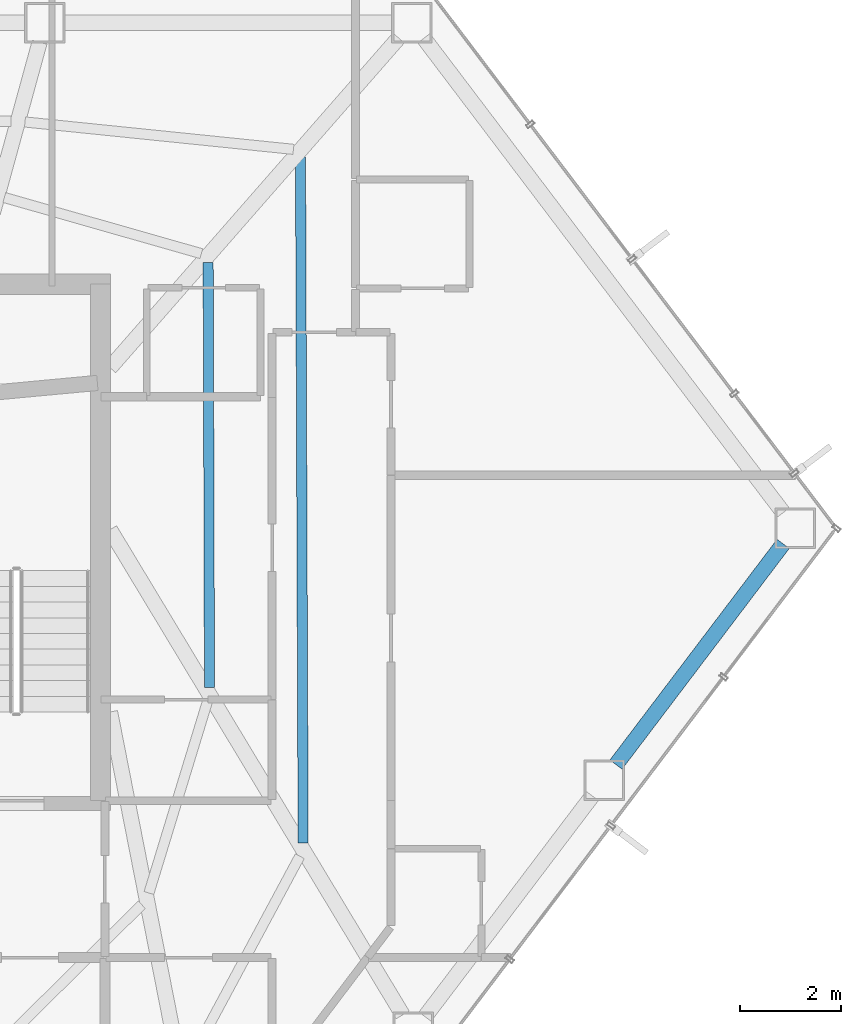
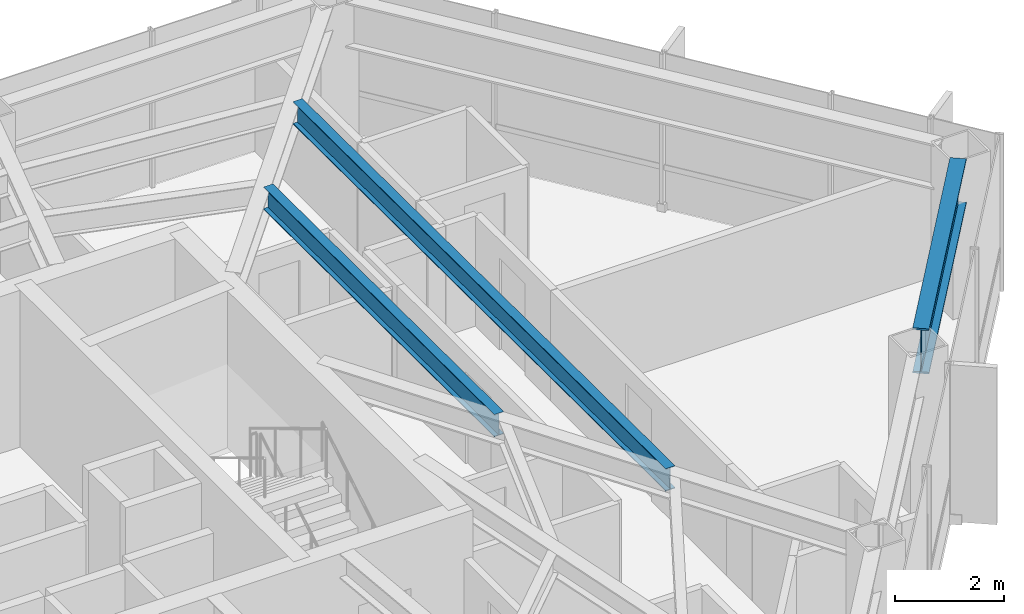
# One storey, part 20 of 28: 3 beams.
"""IFC4 building model written with IfcOpenShell, lengths in metres."""

import ifcopenshell
import ifcopenshell.guid

model = None  # the IFC model being written
_history = None  # IfcOwnerHistory: only IFC2X3 demands one
_inside = {}  # id of a spatial element -> (the spatial element, [elements in it])
_under = {}  # id of a project, library or spatial element -> (it, [spatial elements below it])
_declared = {}  # id of a project -> (the project, [libraries it declares])
_typed = {}  # id of a type object -> (the type object, [elements of that type])
_made_of = {}  # id of a material, layer set ... -> (it, [elements and type objects made of it])


def new_model(schema):
    """Start an empty IFC model of exactly this schema.

    Asked for "IFC4X3", IfcOpenShell would pick the latest addendum, in which some entities
    have other attributes; the version numbers below select the first issue.
    IFC2X3 requires an IfcOwnerHistory on every rooted entity: one is made here for all.
    """
    global model, _history
    if schema == "IFC4X3":
        model = ifcopenshell.file(schema_version=(4, 3, 0, 0))
    else:
        model = ifcopenshell.file(schema=schema)
    _inside.clear()
    _under.clear()
    _declared.clear()
    _typed.clear()
    _made_of.clear()
    _history = None
    if model.schema == "IFC2X3":
        org = make("IfcOrganization", Name="unknown")
        user = make(
            "IfcPersonAndOrganization",
            ThePerson=make("IfcPerson", FamilyName="unknown"),
            TheOrganization=org,
        )
        app = make(
            "IfcApplication",
            ApplicationDeveloper=org,
            Version="unknown",
            ApplicationFullName="unknown",
            ApplicationIdentifier="unknown",
        )
        _history = make(
            "IfcOwnerHistory",
            OwningUser=user,
            OwningApplication=app,
            ChangeAction="ADDED",
            CreationDate=0,
        )
    return model


def make(cls, **values):
    """One entity of the class cls with the attributes given. An attribute that is None is left unset."""
    return model.create_entity(
        cls, **{name: value for name, value in values.items() if value is not None}
    )


def rooted(cls, **values):
    """An entity with a GlobalId (a new one), such as an element, a storey or a relation."""
    return make(cls, GlobalId=ifcopenshell.guid.new(), OwnerHistory=_history, **values)


def si_unit(unit_type, name, prefix=None):
    """IfcSIUnit, for example si_unit("LENGTHUNIT", "METRE", prefix="MILLI")."""
    return make("IfcSIUnit", UnitType=unit_type, Prefix=prefix, Name=name)


def assignment(units):
    """IfcUnitAssignment: the units of a project."""
    return None if units is None else make("IfcUnitAssignment", Units=units)


def point(xyz):
    """IfcCartesianPoint."""
    return None if xyz is None else make("IfcCartesianPoint", Coordinates=xyz)


def direction(xyz):
    """IfcDirection."""
    return None if xyz is None else make("IfcDirection", DirectionRatios=xyz)


def frame(location, z_axis=None, x_axis=None):
    """IfcAxis2Placement3D, a coordinate frame: its origin and axes. An axis left out is left unset."""
    return make(
        "IfcAxis2Placement3D",
        Location=point(location),
        Axis=direction(z_axis),
        RefDirection=direction(x_axis),
    )


def frame_2d(location, x_axis=None):
    """IfcAxis2Placement2D, a coordinate frame in the plane: its origin and x axis."""
    return make(
        "IfcAxis2Placement2D", Location=point(location), RefDirection=direction(x_axis)
    )


def origin():
    """The frame at (0, 0, 0) with its axes left unset."""
    return frame((0.0, 0.0, 0.0))


def origin_2d():
    """The frame at (0, 0) in the plane with its x axis left unset."""
    return frame_2d((0.0, 0.0))


def place(relative_to, where):
    """IfcLocalPlacement: puts the frame where relative to a parent placement (None: the world)."""
    return make(
        "IfcLocalPlacement", PlacementRelTo=relative_to, RelativePlacement=where
    )


def context(
    kind, dimensions, precision=None, world=None, true_north=None, identifier=None
):
    """IfcGeometricRepresentationContext, for example the 3D "Model" context."""
    return make(
        "IfcGeometricRepresentationContext",
        ContextIdentifier=identifier,
        ContextType=kind,
        CoordinateSpaceDimension=dimensions,
        Precision=precision,
        WorldCoordinateSystem=world,
        TrueNorth=true_north,
    )


def subcontext(parent, identifier, kind, view, scale=None):
    """IfcGeometricRepresentationSubContext, for example "Body" below "Model"."""
    return make(
        "IfcGeometricRepresentationSubContext",
        ContextIdentifier=identifier,
        ContextType=kind,
        ParentContext=parent,
        TargetScale=scale,
        TargetView=view,
    )


def project(units=None, contexts=None):
    """IfcProject with its units and contexts."""
    return rooted(
        "IfcProject",
        Name="project",
        RepresentationContexts=contexts,
        UnitsInContext=assignment(units),
    )


def spatial(cls, under=None, at=None, **own):
    """A site, building, storey or space (cls), placed at a placement, below another one or the project."""
    s = rooted(cls, ObjectPlacement=at, **own)
    if under is not None:
        _under.setdefault(under.id(), (under, []))[1].append(s)
    return s


def profile(cls, at=None, kind="AREA", **sizes):
    """A parametric profile (cls). Its sizes go by their IFC names, for example OverallWidth=200.0."""
    return make(cls, ProfileType=kind, Position=at, **sizes)


def i_section(**sizes):
    """IfcIShapeProfileDef."""
    return profile("IfcIShapeProfileDef", **sizes)


def extrude(swept, where, along, depth):
    """IfcExtrudedAreaSolid: the profile swept, set in the frame where, extruded along a direction by depth."""
    return make(
        "IfcExtrudedAreaSolid",
        SweptArea=swept,
        Position=where,
        ExtrudedDirection=direction(along),
        Depth=depth,
    )


def shape(context_of_items, identifier, shape_type, items):
    """IfcShapeRepresentation: the items that make up one representation, for example the "Body"."""
    return make(
        "IfcShapeRepresentation",
        ContextOfItems=context_of_items,
        RepresentationIdentifier=identifier,
        RepresentationType=shape_type,
        Items=items,
    )


def material(Name=None, Category=None):
    """IfcMaterial."""
    return make("IfcMaterial", Name=Name, Category=Category)


def material_profile(
    of_material, cross_section, Name=None, Category=None, Priority=None
):
    """IfcMaterialProfile: a cross section and its material."""
    return make(
        "IfcMaterialProfile",
        Name=Name,
        Material=of_material,
        Profile=cross_section,
        Priority=Priority,
        Category=Category,
    )


def profile_set(profiles, Name=None, composite=None):
    """IfcMaterialProfileSet."""
    return make(
        "IfcMaterialProfileSet",
        Name=Name,
        MaterialProfiles=profiles,
        CompositeProfile=composite,
    )


def made_of(thing, what):
    """Note that an element or type object is made of a material, layer set ...; save() writes the relation."""
    if what is not None:
        _made_of.setdefault(what.id(), (what, []))[1].append(thing)
    return thing


def type_object(cls, material=None, **own):
    """A type object (cls), such as IfcWallType, which elements share."""
    return made_of(rooted(cls, **own), material)


def element(
    cls,
    number,
    at=None,
    inside=None,
    cuts=None,
    type_object=None,
    material=None,
    context=None,
    identifier="Body",
    shape_type=None,
    held_by="IfcProductDefinitionShape",
    body=None,
    shapes=None,
    **own,
):
    """One element of the class cls, such as IfcWall. Its Tag is "e" and its number.

    at: its placement. inside: the storey or other place that contains it. cuts: it is an
    opening in that element (IfcRelVoidsElement). A single representation is given by context,
    identifier, shape_type and body (its items); several are given by shapes. held_by: the class
    of the entity that holds the representations. save() writes the other relations.
    """
    e = rooted(cls, Tag="e%d" % number, ObjectPlacement=at, **own)
    if body is not None:
        shapes = [shape(context, identifier, shape_type, body)]
    if shapes is not None:
        e.Representation = make(held_by, Representations=shapes)
    if inside is not None:
        _inside.setdefault(inside.id(), (inside, []))[1].append(e)
    if cuts is not None:
        rooted(
            "IfcRelVoidsElement", RelatingBuildingElement=cuts, RelatedOpeningElement=e
        )
    if type_object is not None:
        _typed.setdefault(type_object.id(), (type_object, []))[1].append(e)
    return made_of(e, material)


def aggregate(whole, parts):
    """IfcRelAggregates: a whole, such as a stair, and the parts it consists of."""
    return rooted("IfcRelAggregates", RelatingObject=whole, RelatedObjects=parts)


def save(model, path):
    """Write the relations noted so far, then the file.

    IfcRelAggregates (storeys below a building ...), IfcRelContainedInSpatialStructure (elements
    in a storey), IfcRelDefinesByType, IfcRelAssociatesMaterial and IfcRelDeclares: one each for
    every whole, place, type object, material and project.
    """
    for whole, parts in _under.values():
        aggregate(whole, parts)
    for where, things in _inside.values():
        rooted(
            "IfcRelContainedInSpatialStructure",
            RelatedElements=things,
            RelatingStructure=where,
        )
    for kind, things in _typed.values():
        rooted("IfcRelDefinesByType", RelatedObjects=things, RelatingType=kind)
    for what, things in _made_of.values():
        rooted("IfcRelAssociatesMaterial", RelatedObjects=things, RelatingMaterial=what)
    for by, libraries in _declared.values():
        rooted("IfcRelDeclares", RelatingContext=by, RelatedDefinitions=libraries)
    model.write(path)


model = new_model("IFC4")

# Units and contexts
model_context = context("Model", 3, precision=1e-05, world=origin(), true_north=direction((0.0, 1.0)))
body_context = subcontext(model_context, "Body", "Model", "MODEL_VIEW")
ifc_project = project(units=[si_unit("LENGTHUNIT", "METRE"), si_unit("AREAUNIT", "SQUARE_METRE"), si_unit("VOLUMEUNIT", "CUBIC_METRE"), si_unit("PLANEANGLEUNIT", "RADIAN"), si_unit("MASSUNIT", "GRAM", prefix="KILO")], contexts=[model_context])

# Site, building, storey
site_placement = place(None, origin())
site = spatial("IfcSite", under=ifc_project, at=site_placement, CompositionType="ELEMENT")
building_placement = place(site_placement, origin())
building = spatial("IfcBuilding", under=site, at=building_placement, Name="Zarrinselat Tower", CompositionType="ELEMENT")
storey_placement = place(building_placement, frame((0.0, 0.0, 123.419921875)))
storey = spatial("IfcBuildingStorey", under=building, at=storey_placement, Name="L29", CompositionType="ELEMENT", Elevation=123.419921875)

# Beams
ifc_material_1 = material(Name="Steel S460M", Category="steel")
ifc_material_profile_1 = material_profile(ifc_material_1, i_section(OverallWidth=0.302001953125, OverallDepth=1.008056640625, WebThickness=0.02099609375, FlangeThickness=0.0400390625, at=origin_2d()), Name="HEM 1000")
ifc_profile_set_1 = profile_set([ifc_material_profile_1], Name="Steel S460M")
beam_type_1 = type_object("IfcBeamType", Name="BM-HEM1000", PredefinedType="BEAM", material=ifc_profile_set_1)
beam_1_placement = place(storey_placement, frame((58.443603515625, 33.96044921875, 2.99609375), z_axis=(0.603835343733, 0.797109075132, 0.0), x_axis=(-0.797109075132, 0.603835343733, 0.0)))
element("IfcBeam", 1, at=beam_1_placement, inside=storey, type_object=beam_type_1, Name="L29 Perimeter Spandrel Girder SP14", PredefinedType="BEAM", context=body_context, shape_type="SweptSolid", body=[
    extrude(i_section(OverallWidth=0.302001953125, OverallDepth=1.008056640625, WebThickness=0.02099609375, FlangeThickness=0.0400390625, at=origin_2d()), origin(), (0.0, 0.0, 1.0), 5.469482421875),
])
ifc_material_2 = material(Name="Steel S355J2", Category="steel")
ifc_material_profile_2 = material_profile(ifc_material_2, i_section(OverallWidth=0.199951171875, OverallDepth=0.5, WebThickness=0.01025390625, FlangeThickness=0.01611328125, at=origin_2d()), Name="IPE 500")
ifc_profile_set_2 = profile_set([ifc_material_profile_2], Name="Steel S355J2")
beam_type_2 = type_object("IfcBeamType", Name="BM-IPE500", PredefinedType="JOIST", material=ifc_profile_set_2)
beam_2_placement = place(storey_placement, frame((52.21240234375, 45.95947265625, 3.25), z_axis=(0.003839400654, -0.999992629474, 0.0), x_axis=(0.999992629474, 0.003839400654, 0.0)))
element("IfcBeam", 2, at=beam_2_placement, inside=storey, type_object=beam_type_2, Name="L29 Composite Floor Joist 5-1", PredefinedType="JOIST", context=body_context, shape_type="SweptSolid", body=[
    extrude(i_section(OverallWidth=0.199951171875, OverallDepth=0.5, WebThickness=0.01025390625, FlangeThickness=0.01611328125, at=origin_2d()), origin(), (0.0, 0.0, 1.0), 13.544189453125),
])
beam_3_placement = place(storey_placement, frame((50.388427734375, 43.874755859375, 3.25), z_axis=(0.003141528508, -0.999995065387, 0.0), x_axis=(0.999995065387, 0.003141528508, 0.0)))
element("IfcBeam", 3, at=beam_3_placement, inside=storey, type_object=beam_type_2, Name="L29 Composite Floor Joist 5-2", PredefinedType="JOIST", context=body_context, shape_type="SweptSolid", body=[
    extrude(i_section(OverallWidth=0.199951171875, OverallDepth=0.5, WebThickness=0.01025390625, FlangeThickness=0.01611328125, at=origin_2d()), origin(), (0.0, 0.0, 1.0), 8.39306640625),
])

save(model, "model.ifc")
